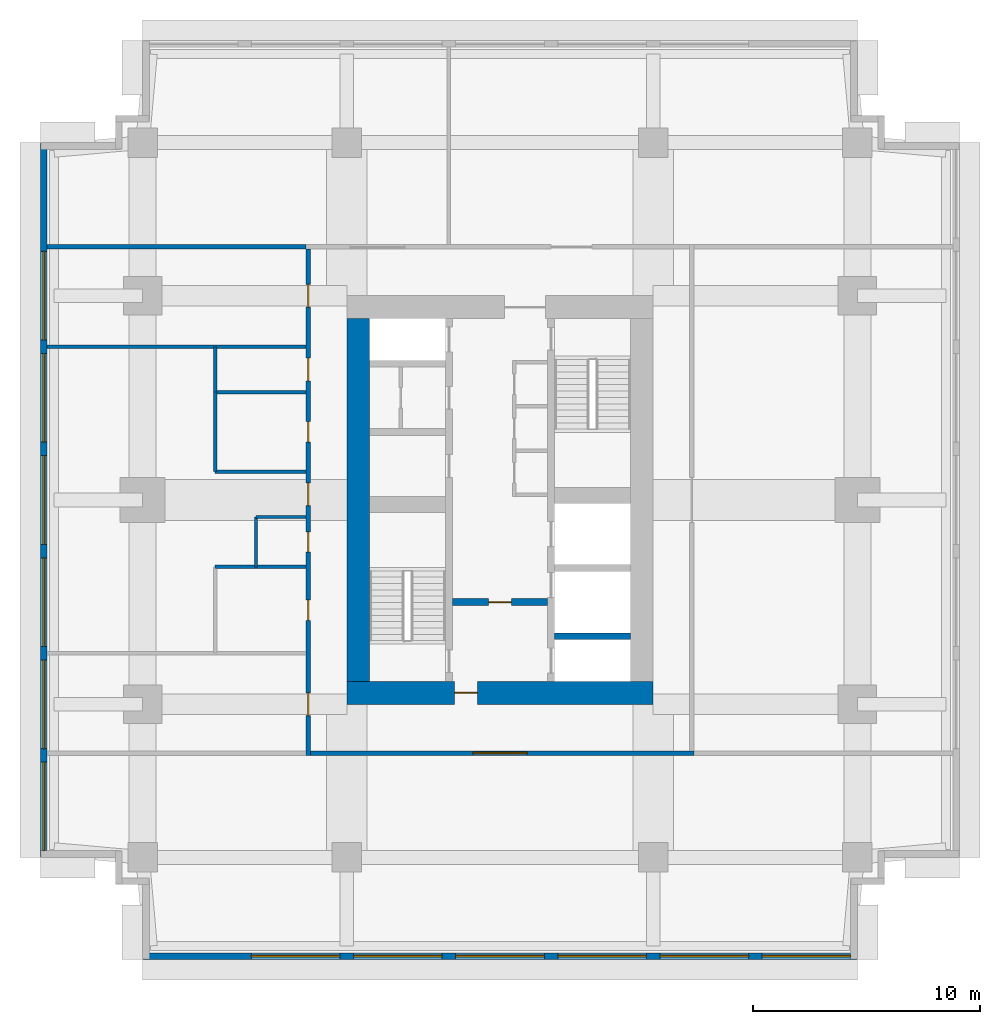
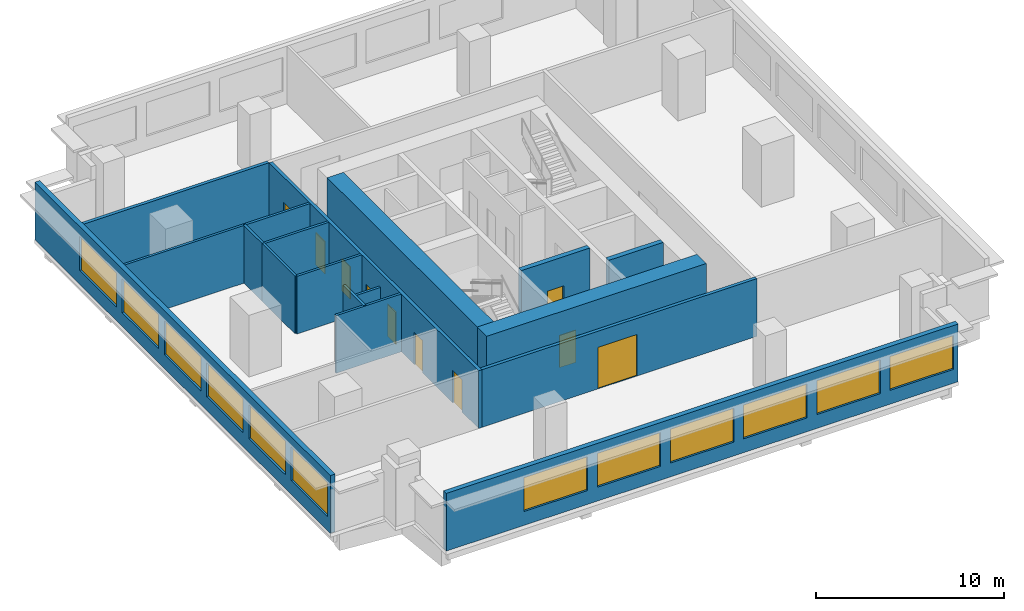
# One storey, part 2 of 5: 17 walls, 12 windows, 10 doors, 22 openings.
"""IFC4 building model written with IfcOpenShell, lengths in metres."""

from ifc_helpers import new_model, si_unit, direction, frame, frame_2d, origin, place, context, subcontext, project, spatial, rectangle, extrude, material, layer, layer_set, type_object, element, fill, save


model = new_model("IFC4")

# Units and contexts
model_context = context("Model", 3, precision=1e-05, world=origin(), true_north=direction((0.0, 1.0)))
body_context = subcontext(model_context, "Body", "Model", "MODEL_VIEW")
ifc_project = project(units=[si_unit("LENGTHUNIT", "METRE"), si_unit("AREAUNIT", "SQUARE_METRE"), si_unit("VOLUMEUNIT", "CUBIC_METRE"), si_unit("PLANEANGLEUNIT", "RADIAN"), si_unit("MASSUNIT", "GRAM", prefix="KILO")], contexts=[model_context])

# Site, building, storey
site_placement = place(None, origin())
site = spatial("IfcSite", under=ifc_project, at=site_placement, CompositionType="ELEMENT")
building_placement = place(site_placement, origin())
building = spatial("IfcBuilding", under=site, at=building_placement, Name="Namib Vertical Campus", CompositionType="ELEMENT")
storey_placement = place(building_placement, frame((0.0, 0.0, 289.0)))
storey = spatial("IfcBuildingStorey", under=building, at=storey_placement, Name="L68", CompositionType="ELEMENT", Elevation=289.0)

# Wall, opening, door
ifc_material_1 = material(Name="Concrete C60/75", Category="concrete")
ifc_layer_1 = layer(ifc_material_1, 0.300048828125)
ifc_layer_set_1 = layer_set([ifc_layer_1], Name="Concrete C60/75")
wall_type_1 = type_object("IfcWallType", Name="Core inner wall 300", PredefinedType="SHEAR", material=ifc_layer_set_1)
wall_1_placement = place(storey_placement, frame((18.14990234375, 15.75, 0.0), z_axis=(0.0, 0.0, 1.0), x_axis=(1.0, 0.0, 0.0)))
wall_1 = element("IfcWall", 1, at=wall_1_placement, inside=storey, type_object=wall_type_1, Name="Core inner wall A L68 W4", PredefinedType="SHEAR", context=body_context, shape_type="SweptSolid", body=[
    extrude(rectangle(XDim=4.2001953125, YDim=0.300048828125, at=frame_2d((2.10009765625, 0.0))), origin(), (0.0, 0.0, 1.0), 4.0),
])
opening_1_placement = place(wall_1_placement, frame((1.60009765625, 0.0, 0.0)))
opening_1 = element("IfcOpeningElement", 2, at=opening_1_placement, cuts=wall_1, Name="Opening FD5", PredefinedType="OPENING", context=body_context, shape_type="SweptSolid", body=[
    extrude(rectangle(XDim=1.0, YDim=2.10009765625, at=frame_2d((0.5, 1.050048828125))), frame((0.0, 0.159912109375, 0.0), z_axis=(0.0, -1.0, 0.0), x_axis=(1.0, 0.0, 0.0)), (0.0, 0.0, 1.0), 0.320068359375),
])
ifc_material_2 = material(Name="Steel fire door", Category="steel")
door_type_1 = type_object("IfcDoorType", Name="Fire door 1000x2100 120 min", OperationType="SINGLE_SWING_RIGHT", PredefinedType="DOOR", material=ifc_material_2)
door_1_placement = place(opening_1_placement, frame((1.0, 0.0, 0.0), z_axis=(0.0, 0.0, 1.0), x_axis=(-1.0, 0.0, 0.0)))
door_1 = element("IfcDoor", 3, at=door_1_placement, inside=storey, type_object=door_type_1, Name="Lobby door FD5 A L68", OperationType="SINGLE_SWING_RIGHT", OverallHeight=2.10009765625, OverallWidth=1.0, PredefinedType="DOOR", context=body_context, shape_type="SweptSolid", body=[
    extrude(rectangle(XDim=1.0, YDim=2.10009765625, at=frame_2d((0.5, 1.050048828125))), frame((0.0, 0.02490234375, 0.0), z_axis=(0.0, -1.0, 0.0), x_axis=(1.0, 0.0, 0.0)), (0.0, 0.0, 1.0), 0.050048828125),
])
fill(opening_1, door_1)

# Wall
wall_2_placement = place(storey_placement, frame((22.64990234375, 14.25, 0.0), z_axis=(0.0, 0.0, 1.0), x_axis=(1.0, 0.0, 0.0)))
element("IfcWall", 4, at=wall_2_placement, inside=storey, type_object=wall_type_1, Name="Core inner wall A L68 W5", PredefinedType="SHEAR", context=body_context, shape_type="SweptSolid", body=[
    extrude(rectangle(XDim=3.35009765625, YDim=0.300048828125, at=frame_2d((1.675048828125, 0.0))), origin(), (0.0, 0.0, 1.0), 4.0),
])

# Wall, opening, door
ifc_material_3 = material(Name="Concrete C60/75", Category="concrete")
ifc_layer_2 = layer(ifc_material_3, 1.0)
ifc_layer_set_2 = layer_set([ifc_layer_2], Name="Concrete C60/75")
wall_type_2 = type_object("IfcWallType", Name="Core wall 1000", PredefinedType="SHEAR", material=ifc_layer_set_2)
wall_3_placement = place(storey_placement, frame((13.5, 11.75, 0.0), z_axis=(0.0, 0.0, 1.0), x_axis=(1.0, 0.0, 0.0)))
wall_3 = element("IfcWall", 5, at=wall_3_placement, inside=storey, type_object=wall_type_2, Name="Core wall A L68 1", PredefinedType="SHEAR", context=body_context, shape_type="SweptSolid", body=[
    extrude(rectangle(XDim=13.5, YDim=1.0, at=frame_2d((6.75, 0.0))), origin(), (0.0, 0.0, 1.0), 4.0),
])
opening_2_placement = place(wall_3_placement, frame((4.75, 0.0, 0.0)))
opening_2 = element("IfcOpeningElement", 6, at=opening_2_placement, cuts=wall_3, Name="Opening FD5", PredefinedType="OPENING", context=body_context, shape_type="SweptSolid", body=[
    extrude(rectangle(XDim=1.0, YDim=2.10009765625, at=frame_2d((0.5, 1.050048828125))), frame((0.0, 0.510009765625, 0.0), z_axis=(0.0, -1.0, 0.0), x_axis=(1.0, 0.0, 0.0)), (0.0, 0.0, 1.0), 1.02001953125),
])
door_2_placement = place(opening_2_placement, origin())
door_2 = element("IfcDoor", 7, at=door_2_placement, inside=storey, type_object=door_type_1, Name="Firefighting lobby door FD5 A L68", OperationType="SINGLE_SWING_LEFT", OverallHeight=2.10009765625, OverallWidth=1.0, PredefinedType="DOOR", context=body_context, shape_type="SweptSolid", body=[
    extrude(rectangle(XDim=1.0, YDim=2.10009765625, at=frame_2d((0.5, 1.050048828125))), frame((0.0, 0.02490234375, 0.0), z_axis=(0.0, -1.0, 0.0), x_axis=(1.0, 0.0, 0.0)), (0.0, 0.0, 1.0), 0.050048828125),
])
fill(opening_2, door_2)

# Wall
wall_4_placement = place(storey_placement, frame((14.0, 28.25, 0.0), z_axis=(0.0, 0.0, 1.0), x_axis=(0.0, -1.0, 0.0)))
element("IfcWall", 8, at=wall_4_placement, inside=storey, type_object=wall_type_2, Name="Core wall A L68 4", PredefinedType="SHEAR", context=body_context, shape_type="SweptSolid", body=[
    extrude(rectangle(XDim=16.0, YDim=1.0, at=frame_2d((8.0, 0.0))), origin(), (0.0, 0.0, 1.0), 4.0),
])

# Wall, opening, door
ifc_material_4 = material(Name="Concrete masonry", Category="masonry")
ifc_layer_3 = layer(ifc_material_4, 0.199951171875)
ifc_layer_set_3 = layer_set([ifc_layer_3], Name="Corridor wall 200")
wall_type_3 = type_object("IfcWallType", Name="Corridor wall 200", PredefinedType="SOLIDWALL", material=ifc_layer_set_3)
wall_5_placement = place(storey_placement, frame((11.89990234375, 9.10009765625, 0.0), z_axis=(0.0, 0.0, 1.0), x_axis=(1.0, 0.0, 0.0)))
wall_5 = element("IfcWall", 9, at=wall_5_placement, inside=storey, type_object=wall_type_3, Name="Corridor wall A L68 CS", PredefinedType="SOLIDWALL", context=body_context, shape_type="SweptSolid", body=[
    extrude(rectangle(XDim=16.900146484375, YDim=0.199951171875, at=frame_2d((8.4501953125, 0.0))), origin(), (0.0, 0.0, 1.0), 3.75),
])
opening_3_placement = place(wall_5_placement, frame((7.14990234375, 0.0, 0.0)))
opening_3 = element("IfcOpeningElement", 10, at=opening_3_placement, cuts=wall_5, Name="Opening PD1", PredefinedType="OPENING", context=body_context, shape_type="SweptSolid", body=[
    extrude(rectangle(XDim=2.39990234375, YDim=2.699951171875, at=frame_2d((1.199951171875, 1.35009765625))), frame((0.0, 0.10986328125, 0.0), z_axis=(0.0, -1.0, 0.0), x_axis=(1.0, 0.0, 0.0)), (0.0, 0.0, 1.0), 0.219970703125),
])
ifc_material_5 = material(Name="Steel fire door", Category="steel")
door_type_2 = type_object("IfcDoorType", Name="Plant room door pair 2400x2700 60 min", OperationType="DOUBLE_DOOR_SINGLE_SWING", PredefinedType="DOOR", material=ifc_material_5)
door_3_placement = place(opening_3_placement, frame((2.39990234375, 0.0, 0.0), z_axis=(0.0, 0.0, 1.0), x_axis=(-1.0, 0.0, 0.0)))
door_3 = element("IfcDoor", 11, at=door_3_placement, inside=storey, type_object=door_type_2, Name="Door PD1 A68-01", OperationType="DOUBLE_DOOR_SINGLE_SWING", OverallHeight=2.699951171875, OverallWidth=2.39990234375, PredefinedType="DOOR", context=body_context, shape_type="SweptSolid", body=[
    extrude(rectangle(XDim=2.39990234375, YDim=2.699951171875, at=frame_2d((1.199951171875, 1.35009765625))), frame((0.0, 0.02490234375, 0.0), z_axis=(0.0, -1.0, 0.0), x_axis=(1.0, 0.0, 0.0)), (0.0, 0.0, 1.0), 0.050048828125),
])
fill(opening_3, door_3)

# Wall, openings, doors
wall_6_placement = place(storey_placement, frame((11.800048828125, 31.300048828125, 0.0), z_axis=(0.0, 0.0, 1.0), x_axis=(0.0, -1.0, 0.0)))
wall_6 = element("IfcWall", 12, at=wall_6_placement, inside=storey, type_object=wall_type_3, Name="Corridor wall A L68 CW", PredefinedType="SOLIDWALL", context=body_context, shape_type="SweptSolid", body=[
    extrude(rectangle(XDim=22.300048828125, YDim=0.199951171875, at=frame_2d((11.14990234375, 0.0))), origin(), (0.0, 0.0, 1.0), 3.75),
])
opening_4_placement = place(wall_6_placement, frame((19.550048828125, 0.0, 0.0)))
opening_4 = element("IfcOpeningElement", 13, at=opening_4_placement, cuts=wall_6, Name="Opening CD1", PredefinedType="OPENING", context=body_context, shape_type="SweptSolid", body=[
    extrude(rectangle(XDim=1.0, YDim=2.10009765625, at=frame_2d((0.5, 1.050048828125))), frame((0.0, 0.10986328125, 0.0), z_axis=(0.0, -1.0, 0.0), x_axis=(1.0, 0.0, 0.0)), (0.0, 0.0, 1.0), 0.219970703125),
])
opening_5_placement = place(wall_6_placement, frame((15.449951171875, 0.0, 0.0)))
opening_5 = element("IfcOpeningElement", 14, at=opening_5_placement, cuts=wall_6, Name="Opening CD3", PredefinedType="OPENING", context=body_context, shape_type="SweptSolid", body=[
    extrude(rectangle(XDim=0.89990234375, YDim=2.10009765625, at=frame_2d((0.449951171875, 1.050048828125))), frame((0.0, 0.10986328125, 0.0), z_axis=(0.0, -1.0, 0.0), x_axis=(1.0, 0.0, 0.0)), (0.0, 0.0, 1.0), 0.219970703125),
])
opening_6_placement = place(wall_6_placement, frame((12.449951171875, 0.0, 0.0)))
opening_6 = element("IfcOpeningElement", 15, at=opening_6_placement, cuts=wall_6, Name="Opening CD3", PredefinedType="OPENING", context=body_context, shape_type="SweptSolid", body=[
    extrude(rectangle(XDim=0.89990234375, YDim=2.10009765625, at=frame_2d((0.449951171875, 1.050048828125))), frame((0.0, 0.10986328125, 0.0), z_axis=(0.0, -1.0, 0.0), x_axis=(1.0, 0.0, 0.0)), (0.0, 0.0, 1.0), 0.219970703125),
])
opening_7_placement = place(wall_6_placement, frame((7.60009765625, 0.0, 0.0)))
opening_7 = element("IfcOpeningElement", 16, at=opening_7_placement, cuts=wall_6, Name="Opening CD3", PredefinedType="OPENING", context=body_context, shape_type="SweptSolid", body=[
    extrude(rectangle(XDim=0.89990234375, YDim=2.10009765625, at=frame_2d((0.449951171875, 1.050048828125))), frame((0.0, 0.10986328125, 0.0), z_axis=(0.0, -1.0, 0.0), x_axis=(1.0, 0.0, 0.0)), (0.0, 0.0, 1.0), 0.219970703125),
])
opening_8_placement = place(wall_6_placement, frame((4.800048828125, 0.0, 0.0)))
opening_8 = element("IfcOpeningElement", 17, at=opening_8_placement, cuts=wall_6, Name="Opening CD1", PredefinedType="OPENING", context=body_context, shape_type="SweptSolid", body=[
    extrude(rectangle(XDim=1.0, YDim=2.10009765625, at=frame_2d((0.5, 1.050048828125))), frame((0.0, 0.10986328125, 0.0), z_axis=(0.0, -1.0, 0.0), x_axis=(1.0, 0.0, 0.0)), (0.0, 0.0, 1.0), 0.219970703125),
])
opening_9_placement = place(wall_6_placement, frame((10.300048828125, 0.0, 0.0)))
opening_9 = element("IfcOpeningElement", 18, at=opening_9_placement, cuts=wall_6, Name="Opening CD1", PredefinedType="OPENING", context=body_context, shape_type="SweptSolid", body=[
    extrude(rectangle(XDim=1.0, YDim=2.10009765625, at=frame_2d((0.5, 1.050048828125))), frame((0.0, 0.10986328125, 0.0), z_axis=(0.0, -1.0, 0.0), x_axis=(1.0, 0.0, 0.0)), (0.0, 0.0, 1.0), 0.219970703125),
])
opening_10_placement = place(wall_6_placement, frame((1.550048828125, 0.0, 0.0)))
opening_10 = element("IfcOpeningElement", 19, at=opening_10_placement, cuts=wall_6, Name="Opening CD1", PredefinedType="OPENING", context=body_context, shape_type="SweptSolid", body=[
    extrude(rectangle(XDim=1.0, YDim=2.10009765625, at=frame_2d((0.5, 1.050048828125))), frame((0.0, 0.10986328125, 0.0), z_axis=(0.0, -1.0, 0.0), x_axis=(1.0, 0.0, 0.0)), (0.0, 0.0, 1.0), 0.219970703125),
])
ifc_material_6 = material(Name="Timber fire door leaf", Category="wood")
door_type_3 = type_object("IfcDoorType", Name="Corridor door 1000x2100 20 min", OperationType="SINGLE_SWING_LEFT", PredefinedType="DOOR", material=ifc_material_6)
door_4_placement = place(opening_4_placement, frame((1.0, 0.0, 0.0), z_axis=(0.0, 0.0, 1.0), x_axis=(-1.0, 0.0, 0.0)))
door_4 = element("IfcDoor", 20, at=door_4_placement, inside=storey, type_object=door_type_3, Name="Door CD1 A68-05", OperationType="SINGLE_SWING_RIGHT", OverallHeight=2.10009765625, OverallWidth=1.0, PredefinedType="DOOR", context=body_context, shape_type="SweptSolid", body=[
    extrude(rectangle(XDim=1.0, YDim=2.10009765625, at=frame_2d((0.5, 1.050048828125))), frame((0.0, 0.02490234375, 0.0), z_axis=(0.0, -1.0, 0.0), x_axis=(1.0, 0.0, 0.0)), (0.0, 0.0, 1.0), 0.050048828125),
])
fill(opening_4, door_4)
door_5_placement = place(opening_8_placement, frame((1.0, 0.0, 0.0), z_axis=(0.0, 0.0, 1.0), x_axis=(-1.0, 0.0, 0.0)))
door_5 = element("IfcDoor", 21, at=door_5_placement, inside=storey, type_object=door_type_3, Name="Door CD1 A68-09", OperationType="SINGLE_SWING_RIGHT", OverallHeight=2.10009765625, OverallWidth=1.0, PredefinedType="DOOR", context=body_context, shape_type="SweptSolid", body=[
    extrude(rectangle(XDim=1.0, YDim=2.10009765625, at=frame_2d((0.5, 1.050048828125))), frame((0.0, 0.02490234375, 0.0), z_axis=(0.0, -1.0, 0.0), x_axis=(1.0, 0.0, 0.0)), (0.0, 0.0, 1.0), 0.050048828125),
])
fill(opening_8, door_5)
door_6_placement = place(opening_9_placement, frame((1.0, 0.0, 0.0), z_axis=(0.0, 0.0, 1.0), x_axis=(-1.0, 0.0, 0.0)))
door_6 = element("IfcDoor", 22, at=door_6_placement, inside=storey, type_object=door_type_3, Name="Door CD1 A68-10", OperationType="SINGLE_SWING_RIGHT", OverallHeight=2.10009765625, OverallWidth=1.0, PredefinedType="DOOR", context=body_context, shape_type="SweptSolid", body=[
    extrude(rectangle(XDim=1.0, YDim=2.10009765625, at=frame_2d((0.5, 1.050048828125))), frame((0.0, 0.02490234375, 0.0), z_axis=(0.0, -1.0, 0.0), x_axis=(1.0, 0.0, 0.0)), (0.0, 0.0, 1.0), 0.050048828125),
])
fill(opening_9, door_6)
door_7_placement = place(opening_10_placement, frame((1.0, 0.0, 0.0), z_axis=(0.0, 0.0, 1.0), x_axis=(-1.0, 0.0, 0.0)))
door_7 = element("IfcDoor", 23, at=door_7_placement, inside=storey, type_object=door_type_3, Name="Door CD1 A68-11", OperationType="SINGLE_SWING_RIGHT", OverallHeight=2.10009765625, OverallWidth=1.0, PredefinedType="DOOR", context=body_context, shape_type="SweptSolid", body=[
    extrude(rectangle(XDim=1.0, YDim=2.10009765625, at=frame_2d((0.5, 1.050048828125))), frame((0.0, 0.02490234375, 0.0), z_axis=(0.0, -1.0, 0.0), x_axis=(1.0, 0.0, 0.0)), (0.0, 0.0, 1.0), 0.050048828125),
])
fill(opening_10, door_7)
ifc_material_7 = material(Name="Timber fire door leaf", Category="wood")
door_type_4 = type_object("IfcDoorType", Name="Corridor toilet door 900x2100 20 min", OperationType="SINGLE_SWING_LEFT", PredefinedType="DOOR", material=ifc_material_7)
door_8_placement = place(opening_5_placement, frame((0.89990234375, 0.0, 0.0), z_axis=(0.0, 0.0, 1.0), x_axis=(-1.0, 0.0, 0.0)))
door_8 = element("IfcDoor", 24, at=door_8_placement, inside=storey, type_object=door_type_4, Name="Door CD3 A68-06", OperationType="SINGLE_SWING_RIGHT", OverallHeight=2.10009765625, OverallWidth=0.89990234375, PredefinedType="DOOR", context=body_context, shape_type="SweptSolid", body=[
    extrude(rectangle(XDim=0.89990234375, YDim=2.10009765625, at=frame_2d((0.449951171875, 1.050048828125))), frame((0.0, 0.02490234375, 0.0), z_axis=(0.0, -1.0, 0.0), x_axis=(1.0, 0.0, 0.0)), (0.0, 0.0, 1.0), 0.050048828125),
])
fill(opening_5, door_8)
door_9_placement = place(opening_6_placement, frame((0.89990234375, 0.0, 0.0), z_axis=(0.0, 0.0, 1.0), x_axis=(-1.0, 0.0, 0.0)))
door_9 = element("IfcDoor", 25, at=door_9_placement, inside=storey, type_object=door_type_4, Name="Door CD3 A68-07", OperationType="SINGLE_SWING_RIGHT", OverallHeight=2.10009765625, OverallWidth=0.89990234375, PredefinedType="DOOR", context=body_context, shape_type="SweptSolid", body=[
    extrude(rectangle(XDim=0.89990234375, YDim=2.10009765625, at=frame_2d((0.449951171875, 1.050048828125))), frame((0.0, 0.02490234375, 0.0), z_axis=(0.0, -1.0, 0.0), x_axis=(1.0, 0.0, 0.0)), (0.0, 0.0, 1.0), 0.050048828125),
])
fill(opening_6, door_9)
door_10_placement = place(opening_7_placement, frame((0.89990234375, 0.0, 0.0), z_axis=(0.0, 0.0, 1.0), x_axis=(-1.0, 0.0, 0.0)))
door_10 = element("IfcDoor", 26, at=door_10_placement, inside=storey, type_object=door_type_4, Name="Door CD3 A68-08", OperationType="SINGLE_SWING_RIGHT", OverallHeight=2.10009765625, OverallWidth=0.89990234375, PredefinedType="DOOR", context=body_context, shape_type="SweptSolid", body=[
    extrude(rectangle(XDim=0.89990234375, YDim=2.10009765625, at=frame_2d((0.449951171875, 1.050048828125))), frame((0.0, 0.02490234375, 0.0), z_axis=(0.0, -1.0, 0.0), x_axis=(1.0, 0.0, 0.0)), (0.0, 0.0, 1.0), 0.050048828125),
])
fill(opening_7, door_10)

# Wall
wall_7_placement = place(storey_placement, frame((0.300048828125, 31.39990234375, 0.0), z_axis=(0.0, 0.0, 1.0), x_axis=(1.0, 0.0, 0.0)))
element("IfcWall", 27, at=wall_7_placement, inside=storey, type_object=wall_type_3, Name="Partition A L68 BNW", PredefinedType="SOLIDWALL", context=body_context, shape_type="SweptSolid", body=[
    extrude(rectangle(XDim=11.39990234375, YDim=0.199951171875, at=frame_2d((5.699951171875, 0.0))), origin(), (0.0, 0.0, 1.0), 3.75),
])

# Wall, openings, windows
ifc_material_8 = material(Name="Concrete C40/50", Category="concrete")
ifc_layer_4 = layer(ifc_material_8, 0.300048828125)
ifc_layer_set_4 = layer_set([ifc_layer_4], Name="Concrete C40/50")
wall_type_4 = type_object("IfcWallType", Name="External wall 300 board-marked concrete", PredefinedType="STANDARD", material=ifc_layer_set_4)
wall_8_placement = place(storey_placement, frame((4.52001953125, 0.14990234375, 0.0), z_axis=(0.0, 0.0, 1.0), x_axis=(1.0, 0.0, 0.0)))
wall_8 = element("IfcWall", 28, at=wall_8_placement, inside=storey, type_object=wall_type_4, Name="External wall L68 F01", PredefinedType="STANDARD", context=body_context, shape_type="SweptSolid", body=[
    extrude(rectangle(XDim=31.4599609375, YDim=0.300048828125, at=frame_2d((15.72998046875, 0.0))), origin(), (0.0, 0.0, 1.0), 3.75),
])
opening_11_placement = place(wall_8_placement, frame((4.780029296875, 0.0, 0.89990234375)))
opening_11 = element("IfcOpeningElement", 29, at=opening_11_placement, cuts=wall_8, Name="Opening LV1", PredefinedType="OPENING", context=body_context, shape_type="SweptSolid", body=[
    extrude(rectangle(XDim=3.89990234375, YDim=2.199951171875, at=frame_2d((1.949951171875, 1.10009765625))), frame((0.0, 0.159912109375, 0.0), z_axis=(0.0, -1.0, 0.0), x_axis=(1.0, 0.0, 0.0)), (0.0, 0.0, 1.0), 0.320068359375),
])
opening_12_placement = place(wall_8_placement, frame((9.280029296875, 0.0, 0.89990234375)))
opening_12 = element("IfcOpeningElement", 30, at=opening_12_placement, cuts=wall_8, Name="Opening LV1", PredefinedType="OPENING", context=body_context, shape_type="SweptSolid", body=[
    extrude(rectangle(XDim=3.89990234375, YDim=2.199951171875, at=frame_2d((1.949951171875, 1.10009765625))), frame((0.0, 0.159912109375, 0.0), z_axis=(0.0, -1.0, 0.0), x_axis=(1.0, 0.0, 0.0)), (0.0, 0.0, 1.0), 0.320068359375),
])
opening_13_placement = place(wall_8_placement, frame((13.780029296875, 0.0, 0.89990234375)))
opening_13 = element("IfcOpeningElement", 31, at=opening_13_placement, cuts=wall_8, Name="Opening LV1", PredefinedType="OPENING", context=body_context, shape_type="SweptSolid", body=[
    extrude(rectangle(XDim=3.89990234375, YDim=2.199951171875, at=frame_2d((1.949951171875, 1.10009765625))), frame((0.0, 0.159912109375, 0.0), z_axis=(0.0, -1.0, 0.0), x_axis=(1.0, 0.0, 0.0)), (0.0, 0.0, 1.0), 0.320068359375),
])
opening_14_placement = place(wall_8_placement, frame((18.280029296875, 0.0, 0.89990234375)))
opening_14 = element("IfcOpeningElement", 32, at=opening_14_placement, cuts=wall_8, Name="Opening LV1", PredefinedType="OPENING", context=body_context, shape_type="SweptSolid", body=[
    extrude(rectangle(XDim=3.89990234375, YDim=2.199951171875, at=frame_2d((1.949951171875, 1.10009765625))), frame((0.0, 0.159912109375, 0.0), z_axis=(0.0, -1.0, 0.0), x_axis=(1.0, 0.0, 0.0)), (0.0, 0.0, 1.0), 0.320068359375),
])
opening_15_placement = place(wall_8_placement, frame((22.780029296875, 0.0, 0.89990234375)))
opening_15 = element("IfcOpeningElement", 33, at=opening_15_placement, cuts=wall_8, Name="Opening LV1", PredefinedType="OPENING", context=body_context, shape_type="SweptSolid", body=[
    extrude(rectangle(XDim=3.89990234375, YDim=2.199951171875, at=frame_2d((1.949951171875, 1.10009765625))), frame((0.0, 0.159912109375, 0.0), z_axis=(0.0, -1.0, 0.0), x_axis=(1.0, 0.0, 0.0)), (0.0, 0.0, 1.0), 0.320068359375),
])
opening_16_placement = place(wall_8_placement, frame((27.280029296875, 0.0, 0.89990234375)))
opening_16 = element("IfcOpeningElement", 34, at=opening_16_placement, cuts=wall_8, Name="Opening LV1", PredefinedType="OPENING", context=body_context, shape_type="SweptSolid", body=[
    extrude(rectangle(XDim=3.89990234375, YDim=2.199951171875, at=frame_2d((1.949951171875, 1.10009765625))), frame((0.0, 0.159912109375, 0.0), z_axis=(0.0, -1.0, 0.0), x_axis=(1.0, 0.0, 0.0)), (0.0, 0.0, 1.0), 0.320068359375),
])
ifc_material_9 = material(Name="Black aluminium louvre", Category="aluminium")
window_type = type_object("IfcWindowType", Name="Plant louvre 3900x2200", PartitioningType="SINGLE_PANEL", PredefinedType="WINDOW", material=ifc_material_9)
window_1_placement = place(opening_11_placement, origin())
window_1 = element("IfcWindow", 35, at=window_1_placement, inside=storey, type_object=window_type, Name="Plant louvre LV1 L68 F01-2", OverallHeight=2.199951171875, OverallWidth=3.89990234375, PartitioningType="SINGLE_PANEL", PredefinedType="WINDOW", context=body_context, shape_type="SweptSolid", body=[
    extrude(rectangle(XDim=3.89990234375, YDim=2.199951171875, at=frame_2d((1.949951171875, 1.10009765625))), frame((0.0, 0.030029296875, 0.0), z_axis=(0.0, -1.0, 0.0), x_axis=(1.0, 0.0, 0.0)), (0.0, 0.0, 1.0), 0.06005859375),
])
fill(opening_11, window_1)
window_2_placement = place(opening_12_placement, origin())
window_2 = element("IfcWindow", 36, at=window_2_placement, inside=storey, type_object=window_type, Name="Plant louvre LV1 L68 F01-3", OverallHeight=2.199951171875, OverallWidth=3.89990234375, PartitioningType="SINGLE_PANEL", PredefinedType="WINDOW", context=body_context, shape_type="SweptSolid", body=[
    extrude(rectangle(XDim=3.89990234375, YDim=2.199951171875, at=frame_2d((1.949951171875, 1.10009765625))), frame((0.0, 0.030029296875, 0.0), z_axis=(0.0, -1.0, 0.0), x_axis=(1.0, 0.0, 0.0)), (0.0, 0.0, 1.0), 0.06005859375),
])
fill(opening_12, window_2)
window_3_placement = place(opening_13_placement, origin())
window_3 = element("IfcWindow", 37, at=window_3_placement, inside=storey, type_object=window_type, Name="Plant louvre LV1 L68 F01-4", OverallHeight=2.199951171875, OverallWidth=3.89990234375, PartitioningType="SINGLE_PANEL", PredefinedType="WINDOW", context=body_context, shape_type="SweptSolid", body=[
    extrude(rectangle(XDim=3.89990234375, YDim=2.199951171875, at=frame_2d((1.949951171875, 1.10009765625))), frame((0.0, 0.030029296875, 0.0), z_axis=(0.0, -1.0, 0.0), x_axis=(1.0, 0.0, 0.0)), (0.0, 0.0, 1.0), 0.06005859375),
])
fill(opening_13, window_3)
window_4_placement = place(opening_14_placement, origin())
window_4 = element("IfcWindow", 38, at=window_4_placement, inside=storey, type_object=window_type, Name="Plant louvre LV1 L68 F01-5", OverallHeight=2.199951171875, OverallWidth=3.89990234375, PartitioningType="SINGLE_PANEL", PredefinedType="WINDOW", context=body_context, shape_type="SweptSolid", body=[
    extrude(rectangle(XDim=3.89990234375, YDim=2.199951171875, at=frame_2d((1.949951171875, 1.10009765625))), frame((0.0, 0.030029296875, 0.0), z_axis=(0.0, -1.0, 0.0), x_axis=(1.0, 0.0, 0.0)), (0.0, 0.0, 1.0), 0.06005859375),
])
fill(opening_14, window_4)
window_5_placement = place(opening_15_placement, origin())
window_5 = element("IfcWindow", 39, at=window_5_placement, inside=storey, type_object=window_type, Name="Plant louvre LV1 L68 F01-6", OverallHeight=2.199951171875, OverallWidth=3.89990234375, PartitioningType="SINGLE_PANEL", PredefinedType="WINDOW", context=body_context, shape_type="SweptSolid", body=[
    extrude(rectangle(XDim=3.89990234375, YDim=2.199951171875, at=frame_2d((1.949951171875, 1.10009765625))), frame((0.0, 0.030029296875, 0.0), z_axis=(0.0, -1.0, 0.0), x_axis=(1.0, 0.0, 0.0)), (0.0, 0.0, 1.0), 0.06005859375),
])
fill(opening_15, window_5)
window_6_placement = place(opening_16_placement, origin())
window_6 = element("IfcWindow", 40, at=window_6_placement, inside=storey, type_object=window_type, Name="Plant louvre LV1 L68 F01-7", OverallHeight=2.199951171875, OverallWidth=3.89990234375, PartitioningType="SINGLE_PANEL", PredefinedType="WINDOW", context=body_context, shape_type="SweptSolid", body=[
    extrude(rectangle(XDim=3.89990234375, YDim=2.199951171875, at=frame_2d((1.949951171875, 1.10009765625))), frame((0.0, 0.030029296875, 0.0), z_axis=(0.0, -1.0, 0.0), x_axis=(1.0, 0.0, 0.0)), (0.0, 0.0, 1.0), 0.06005859375),
])
fill(opening_16, window_6)

wall_9_placement = place(storey_placement, frame((0.14990234375, 35.97998046875, 0.0), z_axis=(0.0, 0.0, 1.0), x_axis=(0.0, -1.0, 0.0)))
wall_9 = element("IfcWall", 41, at=wall_9_placement, inside=storey, type_object=wall_type_4, Name="External wall L68 F16", PredefinedType="STANDARD", context=body_context, shape_type="SweptSolid", body=[
    extrude(rectangle(XDim=31.4599609375, YDim=0.300048828125, at=frame_2d((15.72998046875, 0.0))), origin(), (0.0, 0.0, 1.0), 3.75),
])
opening_17_placement = place(wall_9_placement, frame((27.280029296875, 0.0, 0.89990234375)))
opening_17 = element("IfcOpeningElement", 42, at=opening_17_placement, cuts=wall_9, Name="Opening LV1", PredefinedType="OPENING", context=body_context, shape_type="SweptSolid", body=[
    extrude(rectangle(XDim=3.89990234375, YDim=2.199951171875, at=frame_2d((1.949951171875, 1.10009765625))), frame((0.0, 0.159912109375, 0.0), z_axis=(0.0, -1.0, 0.0), x_axis=(1.0, 0.0, 0.0)), (0.0, 0.0, 1.0), 0.320068359375),
])
opening_18_placement = place(wall_9_placement, frame((22.780029296875, 0.0, 0.89990234375)))
opening_18 = element("IfcOpeningElement", 43, at=opening_18_placement, cuts=wall_9, Name="Opening LV1", PredefinedType="OPENING", context=body_context, shape_type="SweptSolid", body=[
    extrude(rectangle(XDim=3.89990234375, YDim=2.199951171875, at=frame_2d((1.949951171875, 1.10009765625))), frame((0.0, 0.159912109375, 0.0), z_axis=(0.0, -1.0, 0.0), x_axis=(1.0, 0.0, 0.0)), (0.0, 0.0, 1.0), 0.320068359375),
])
opening_19_placement = place(wall_9_placement, frame((18.280029296875, 0.0, 0.89990234375)))
opening_19 = element("IfcOpeningElement", 44, at=opening_19_placement, cuts=wall_9, Name="Opening LV1", PredefinedType="OPENING", context=body_context, shape_type="SweptSolid", body=[
    extrude(rectangle(XDim=3.89990234375, YDim=2.199951171875, at=frame_2d((1.949951171875, 1.10009765625))), frame((0.0, 0.159912109375, 0.0), z_axis=(0.0, -1.0, 0.0), x_axis=(1.0, 0.0, 0.0)), (0.0, 0.0, 1.0), 0.320068359375),
])
opening_20_placement = place(wall_9_placement, frame((13.780029296875, 0.0, 0.89990234375)))
opening_20 = element("IfcOpeningElement", 45, at=opening_20_placement, cuts=wall_9, Name="Opening LV1", PredefinedType="OPENING", context=body_context, shape_type="SweptSolid", body=[
    extrude(rectangle(XDim=3.89990234375, YDim=2.199951171875, at=frame_2d((1.949951171875, 1.10009765625))), frame((0.0, 0.159912109375, 0.0), z_axis=(0.0, -1.0, 0.0), x_axis=(1.0, 0.0, 0.0)), (0.0, 0.0, 1.0), 0.320068359375),
])
opening_21_placement = place(wall_9_placement, frame((9.280029296875, 0.0, 0.89990234375)))
opening_21 = element("IfcOpeningElement", 46, at=opening_21_placement, cuts=wall_9, Name="Opening LV1", PredefinedType="OPENING", context=body_context, shape_type="SweptSolid", body=[
    extrude(rectangle(XDim=3.89990234375, YDim=2.199951171875, at=frame_2d((1.949951171875, 1.10009765625))), frame((0.0, 0.159912109375, 0.0), z_axis=(0.0, -1.0, 0.0), x_axis=(1.0, 0.0, 0.0)), (0.0, 0.0, 1.0), 0.320068359375),
])
opening_22_placement = place(wall_9_placement, frame((4.780029296875, 0.0, 0.89990234375)))
opening_22 = element("IfcOpeningElement", 47, at=opening_22_placement, cuts=wall_9, Name="Opening LV1", PredefinedType="OPENING", context=body_context, shape_type="SweptSolid", body=[
    extrude(rectangle(XDim=3.89990234375, YDim=2.199951171875, at=frame_2d((1.949951171875, 1.10009765625))), frame((0.0, 0.159912109375, 0.0), z_axis=(0.0, -1.0, 0.0), x_axis=(1.0, 0.0, 0.0)), (0.0, 0.0, 1.0), 0.320068359375),
])
window_7_placement = place(opening_17_placement, origin())
window_7 = element("IfcWindow", 48, at=window_7_placement, inside=storey, type_object=window_type, Name="Plant louvre LV1 L68 F16-1", OverallHeight=2.199951171875, OverallWidth=3.89990234375, PartitioningType="SINGLE_PANEL", PredefinedType="WINDOW", context=body_context, shape_type="SweptSolid", body=[
    extrude(rectangle(XDim=3.89990234375, YDim=2.199951171875, at=frame_2d((1.949951171875, 1.10009765625))), frame((0.0, 0.030029296875, 0.0), z_axis=(0.0, -1.0, 0.0), x_axis=(1.0, 0.0, 0.0)), (0.0, 0.0, 1.0), 0.06005859375),
])
fill(opening_17, window_7)
window_8_placement = place(opening_18_placement, origin())
window_8 = element("IfcWindow", 49, at=window_8_placement, inside=storey, type_object=window_type, Name="Plant louvre LV1 L68 F16-2", OverallHeight=2.199951171875, OverallWidth=3.89990234375, PartitioningType="SINGLE_PANEL", PredefinedType="WINDOW", context=body_context, shape_type="SweptSolid", body=[
    extrude(rectangle(XDim=3.89990234375, YDim=2.199951171875, at=frame_2d((1.949951171875, 1.10009765625))), frame((0.0, 0.030029296875, 0.0), z_axis=(0.0, -1.0, 0.0), x_axis=(1.0, 0.0, 0.0)), (0.0, 0.0, 1.0), 0.06005859375),
])
fill(opening_18, window_8)
window_9_placement = place(opening_19_placement, origin())
window_9 = element("IfcWindow", 50, at=window_9_placement, inside=storey, type_object=window_type, Name="Plant louvre LV1 L68 F16-3", OverallHeight=2.199951171875, OverallWidth=3.89990234375, PartitioningType="SINGLE_PANEL", PredefinedType="WINDOW", context=body_context, shape_type="SweptSolid", body=[
    extrude(rectangle(XDim=3.89990234375, YDim=2.199951171875, at=frame_2d((1.949951171875, 1.10009765625))), frame((0.0, 0.030029296875, 0.0), z_axis=(0.0, -1.0, 0.0), x_axis=(1.0, 0.0, 0.0)), (0.0, 0.0, 1.0), 0.06005859375),
])
fill(opening_19, window_9)
window_10_placement = place(opening_20_placement, origin())
window_10 = element("IfcWindow", 51, at=window_10_placement, inside=storey, type_object=window_type, Name="Plant louvre LV1 L68 F16-4", OverallHeight=2.199951171875, OverallWidth=3.89990234375, PartitioningType="SINGLE_PANEL", PredefinedType="WINDOW", context=body_context, shape_type="SweptSolid", body=[
    extrude(rectangle(XDim=3.89990234375, YDim=2.199951171875, at=frame_2d((1.949951171875, 1.10009765625))), frame((0.0, 0.030029296875, 0.0), z_axis=(0.0, -1.0, 0.0), x_axis=(1.0, 0.0, 0.0)), (0.0, 0.0, 1.0), 0.06005859375),
])
fill(opening_20, window_10)
window_11_placement = place(opening_21_placement, origin())
window_11 = element("IfcWindow", 52, at=window_11_placement, inside=storey, type_object=window_type, Name="Plant louvre LV1 L68 F16-5", OverallHeight=2.199951171875, OverallWidth=3.89990234375, PartitioningType="SINGLE_PANEL", PredefinedType="WINDOW", context=body_context, shape_type="SweptSolid", body=[
    extrude(rectangle(XDim=3.89990234375, YDim=2.199951171875, at=frame_2d((1.949951171875, 1.10009765625))), frame((0.0, 0.030029296875, 0.0), z_axis=(0.0, -1.0, 0.0), x_axis=(1.0, 0.0, 0.0)), (0.0, 0.0, 1.0), 0.06005859375),
])
fill(opening_21, window_11)
window_12_placement = place(opening_22_placement, origin())
window_12 = element("IfcWindow", 53, at=window_12_placement, inside=storey, type_object=window_type, Name="Plant louvre LV1 L68 F16-6", OverallHeight=2.199951171875, OverallWidth=3.89990234375, PartitioningType="SINGLE_PANEL", PredefinedType="WINDOW", context=body_context, shape_type="SweptSolid", body=[
    extrude(rectangle(XDim=3.89990234375, YDim=2.199951171875, at=frame_2d((1.949951171875, 1.10009765625))), frame((0.0, 0.030029296875, 0.0), z_axis=(0.0, -1.0, 0.0), x_axis=(1.0, 0.0, 0.0)), (0.0, 0.0, 1.0), 0.06005859375),
])
fill(opening_22, window_12)

# Walls
ifc_material_10 = material(Name="Gypsum board on steel studs", Category="steel")
ifc_layer_5 = layer(ifc_material_10, 0.14990234375)
ifc_layer_set_5 = layer_set([ifc_layer_5], Name="Gypsum board on steel studs")
wall_type_5 = type_object("IfcWallType", Name="Partition 150", PredefinedType="PARTITIONING", material=ifc_layer_set_5)
wall_10_placement = place(storey_placement, frame((0.300048828125, 27.0, 0.0), z_axis=(0.0, 0.0, 1.0), x_axis=(1.0, 0.0, 0.0)))
element("IfcWall", 54, at=wall_10_placement, inside=storey, type_object=wall_type_5, Name="Partition A L68 PW2", PredefinedType="PARTITIONING", context=body_context, shape_type="SweptSolid", body=[
    extrude(rectangle(XDim=11.39990234375, YDim=0.14990234375, at=frame_2d((5.699951171875, 0.0))), origin(), (0.0, 0.0, 1.0), 3.75),
])
wall_11_placement = place(storey_placement, frame((11.699951171875, 17.300048828125, 0.0), z_axis=(0.0, 0.0, 1.0), x_axis=(-1.0, 0.0, 0.0)))
element("IfcWall", 55, at=wall_11_placement, inside=storey, type_object=wall_type_5, Name="Partition A L68 WR1", PredefinedType="PARTITIONING", context=body_context, shape_type="SweptSolid", body=[
    extrude(rectangle(XDim=4.0, YDim=0.14990234375, at=frame_2d((2.0, 0.0))), origin(), (0.0, 0.0, 1.0), 3.75),
])
wall_12_placement = place(storey_placement, frame((11.699951171875, 19.5, 0.0), z_axis=(0.0, 0.0, 1.0), x_axis=(-1.0, 0.0, 0.0)))
element("IfcWall", 56, at=wall_12_placement, inside=storey, type_object=wall_type_5, Name="Partition A L68 WR2", PredefinedType="PARTITIONING", context=body_context, shape_type="SweptSolid", body=[
    extrude(rectangle(XDim=2.199951171875, YDim=0.14990234375, at=frame_2d((1.10009765625, 0.0))), origin(), (0.0, 0.0, 1.0), 2.85009765625),
])
for number, where, z_axis, x_axis, name in (
    (57, (11.699951171875, 21.5, 0.0), (0.0, 0.0, 1.0), (-1.0, 0.0, 0.0), "Partition A L68 WR3"),
    (58, (11.699951171875, 25.0, 0.0), (0.0, 0.0, 1.0), (-1.0, 0.0, 0.0), "Partition A L68 WR4"),
):
    element("IfcWall", number, at=place(storey_placement, frame(where, z_axis=z_axis, x_axis=x_axis)), inside=storey, type_object=wall_type_5, Name=name, PredefinedType="PARTITIONING", context=body_context, shape_type="SweptSolid", body=[
        extrude(rectangle(XDim=4.0, YDim=0.14990234375, at=frame_2d((2.0, 0.0))), origin(), (0.0, 0.0, 1.0), 3.75),
    ])
wall_13_placement = place(storey_placement, frame((9.5, 17.300048828125, 0.0), z_axis=(0.0, 0.0, 1.0), x_axis=(0.0, 1.0, 0.0)))
element("IfcWall", 59, at=wall_13_placement, inside=storey, type_object=wall_type_5, Name="Partition A L68 WB2", PredefinedType="PARTITIONING", context=body_context, shape_type="SweptSolid", body=[
    extrude(rectangle(XDim=2.199951171875, YDim=0.14990234375, at=frame_2d((1.10009765625, 0.0))), origin(), (0.0, 0.0, 1.0), 3.75),
])
wall_14_placement = place(storey_placement, frame((7.699951171875, 21.5, 0.0), z_axis=(0.0, 0.0, 1.0), x_axis=(0.0, 1.0, 0.0)))
element("IfcWall", 60, at=wall_14_placement, inside=storey, type_object=wall_type_5, Name="Partition A L68 WB3", PredefinedType="PARTITIONING", context=body_context, shape_type="SweptSolid", body=[
    extrude(rectangle(XDim=3.5, YDim=0.14990234375, at=frame_2d((1.75, 0.0))), origin(), (0.0, 0.0, 1.0), 3.75),
])
wall_15_placement = place(storey_placement, frame((7.699951171875, 25.0, 0.0), z_axis=(0.0, 0.0, 1.0), x_axis=(0.0, 1.0, 0.0)))
element("IfcWall", 61, at=wall_15_placement, inside=storey, type_object=wall_type_5, Name="Partition A L68 WB4", PredefinedType="PARTITIONING", context=body_context, shape_type="SweptSolid", body=[
    extrude(rectangle(XDim=2.0, YDim=0.14990234375, at=frame_2d((1.0, 0.0))), origin(), (0.0, 0.0, 1.0), 3.75),
])

save(model, "model.ifc")
